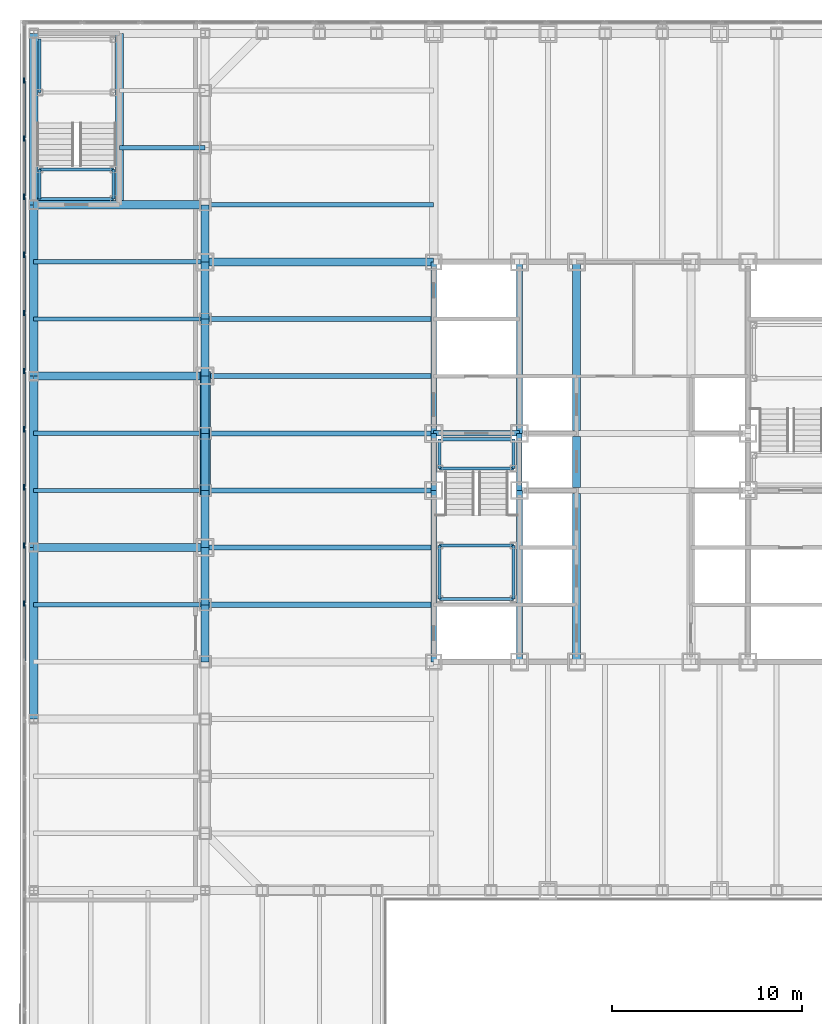
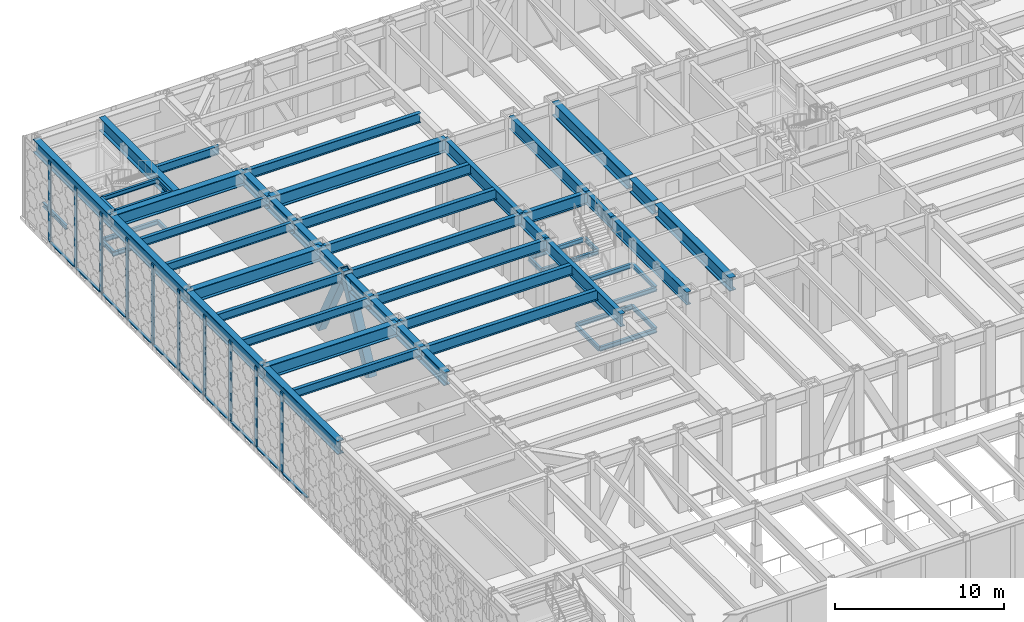
# One storey, part 6 of 32: 61 beams, 22 members, 1 element without a shape of its own.
"""IFC4 building model written with IfcOpenShell, lengths in metres."""

from ifc_helpers import new_model, si_unit, direction, frame, origin, origin_2d, place, context, subcontext, project, spatial, rectangle, hollow_rectangle, i_section, extrude, material, layer, layer_set, material_profile, profile_set, type_object, element, aggregate, save


model = new_model("IFC4")

# Units and contexts
model_context = context("Model", 3, precision=1e-05, world=origin(), true_north=direction((0.0, 1.0)))
body_context = subcontext(model_context, "Body", "Model", "MODEL_VIEW")
ifc_project = project(units=[si_unit("LENGTHUNIT", "METRE"), si_unit("AREAUNIT", "SQUARE_METRE"), si_unit("VOLUMEUNIT", "CUBIC_METRE"), si_unit("PLANEANGLEUNIT", "RADIAN"), si_unit("MASSUNIT", "GRAM", prefix="KILO")], contexts=[model_context])

# Site, building, storey
site_placement = place(None, origin())
site = spatial("IfcSite", under=ifc_project, at=site_placement, CompositionType="ELEMENT")
building_placement = place(site_placement, origin())
building = spatial("IfcBuilding", under=site, at=building_placement, Name="Chuquiago Exchange Tower", CompositionType="ELEMENT")
storey_placement = place(building_placement, frame((0.0, 0.0, 13.5)))
storey = spatial("IfcBuildingStorey", under=building, at=storey_placement, Name="L02", CompositionType="ELEMENT", Elevation=13.5)

# Beams
ifc_material_1 = material(Name="Steel ASTM A992", Category="steel")
ifc_material_profile_1 = material_profile(ifc_material_1, i_section(OverallWidth=0.307373046875, OverallDepth=0.927001953125, WebThickness=0.01953125, FlangeThickness=0.031982421875, at=origin_2d()), Name="W36X194")
ifc_profile_set_1 = profile_set([ifc_material_profile_1], Name="Steel ASTM A992")
beam_type_1 = type_object("IfcBeamType", Name="B10 W36X194", PredefinedType="BEAM", material=ifc_profile_set_1)
for number, where, z_axis, x_axis, name in (
    (1, (12.0, 12.0, 5.33642578125), (0.0, 1.0, 0.0), (-1.0, 0.0, 0.0), "CB-L03-12_12-12_21"),
    (2, (12.0, 24.0, 5.33642578125), (0.0, 1.0, 0.0), (-1.0, 0.0, 0.0), "CB-L03-12_24-12_33"),
    (3, (16.5, 12.0, 5.33642578125), (0.0, 1.0, 0.0), (-1.0, 0.0, 0.0), "CB-L03-16.5_12-16.5_21"),
    (4, (16.5, 24.0, 5.33642578125), (0.0, 1.0, 0.0), (-1.0, 0.0, 0.0), "CB-L03-16.5_24-16.5_33"),
):
    element("IfcBeam", number, at=place(storey_placement, frame(where, z_axis=z_axis, x_axis=x_axis)), inside=storey, type_object=beam_type_1, Name=name, PredefinedType="BEAM", context=body_context, shape_type="SweptSolid", body=[
        extrude(i_section(OverallWidth=0.307373046875, OverallDepth=0.927001953125, WebThickness=0.01953125, FlangeThickness=0.031982421875, at=origin_2d()), origin(), (0.0, 0.0, 1.0), 9.0),
    ])
ifc_material_2 = material(Name="Steel ASTM A992", Category="steel")
ifc_material_profile_2 = material_profile(ifc_material_2, i_section(OverallWidth=0.4267578125, OverallDepth=0.975341796875, WebThickness=0.031005859375, FlangeThickness=0.055908203125, at=origin_2d()), Name="W36X395")
ifc_profile_set_2 = profile_set([ifc_material_profile_2], Name="Steel ASTM A992")
beam_type_2 = type_object("IfcBeamType", Name="B12 W36X395", PredefinedType="BEAM", material=ifc_profile_set_2)
beam_1_placement = place(storey_placement, frame((19.5, 12.0, 5.312255859375), z_axis=(0.0, 1.0, 0.0), x_axis=(-1.0, 0.0, 0.0)))
element("IfcBeam", 5, at=beam_1_placement, inside=storey, type_object=beam_type_2, Name="CB-L03-19.5_12-19.5_20.8451", PredefinedType="BEAM", context=body_context, shape_type="SweptSolid", body=[
    extrude(i_section(OverallWidth=0.4267578125, OverallDepth=0.975341796875, WebThickness=0.031005859375, FlangeThickness=0.055908203125, at=origin_2d()), origin(), (0.0, 0.0, 1.0), 8.84521484375),
])
beam_2_placement = place(storey_placement, frame((19.5, 21.15478515625, 5.312255859375), z_axis=(0.0, 1.0, 0.0), x_axis=(-1.0, 0.0, 0.0)))
element("IfcBeam", 6, at=beam_2_placement, inside=storey, type_object=beam_type_2, Name="CB-L03-19.5_21.1549-19.5_23.8451", PredefinedType="BEAM", context=body_context, shape_type="SweptSolid", body=[
    extrude(i_section(OverallWidth=0.4267578125, OverallDepth=0.975341796875, WebThickness=0.031005859375, FlangeThickness=0.055908203125, at=origin_2d()), origin(), (0.0, 0.0, 1.0), 2.6904296875),
])
beam_3_placement = place(storey_placement, frame((19.5, 24.15478515625, 5.312255859375), z_axis=(0.0, 1.0, 0.0), x_axis=(-1.0, 0.0, 0.0)))
element("IfcBeam", 7, at=beam_3_placement, inside=storey, type_object=beam_type_2, Name="CB-L03-19.5_24.1549-19.5_33", PredefinedType="BEAM", context=body_context, shape_type="SweptSolid", body=[
    extrude(i_section(OverallWidth=0.4267578125, OverallDepth=0.975341796875, WebThickness=0.031005859375, FlangeThickness=0.055908203125, at=origin_2d()), origin(), (0.0, 0.0, 1.0), 8.84521484375),
])
ifc_material_3 = material(Name="Steel ASTM A992", Category="steel")
ifc_material_profile_3 = material_profile(ifc_material_3, i_section(OverallWidth=0.2919921875, OverallDepth=0.8583984375, WebThickness=0.01708984375, FlangeThickness=0.031005859375, at=origin_2d()), Name="W33X169")
ifc_profile_set_3 = profile_set([ifc_material_profile_3], Name="Steel ASTM A992")
beam_type_3 = type_object("IfcBeamType", Name="B3 W33X169", PredefinedType="BEAM", material=ifc_profile_set_3)
for number, where, z_axis, x_axis, name in (
    (8, (12.0, 21.0, 5.37060546875), (0.0, 1.0, 0.0), (-1.0, 0.0, 0.0), "CB-L03-12_21-12_24"),
    (9, (16.5, 21.0, 5.37060546875), (0.0, 1.0, 0.0), (-1.0, 0.0, 0.0), "CB-L03-16.5_21-16.5_24"),
):
    element("IfcBeam", number, at=place(storey_placement, frame(where, z_axis=z_axis, x_axis=x_axis)), inside=storey, type_object=beam_type_3, Name=name, PredefinedType="BEAM", context=body_context, shape_type="SweptSolid", body=[
        extrude(i_section(OverallWidth=0.2919921875, OverallDepth=0.8583984375, WebThickness=0.01708984375, FlangeThickness=0.031005859375, at=origin_2d()), origin(), (0.0, 0.0, 1.0), 3.0),
    ])
beam_4_placement = place(storey_placement, frame((12.0, 24.0, 5.37060546875), z_axis=(1.0, 0.0, 0.0), x_axis=(0.0, 1.0, 0.0)))
element("IfcBeam", 10, at=beam_4_placement, inside=storey, type_object=beam_type_3, Name="CB-L03-12_24-16.5_24", PredefinedType="BEAM", context=body_context, shape_type="SweptSolid", body=[
    extrude(i_section(OverallWidth=0.2919921875, OverallDepth=0.8583984375, WebThickness=0.01708984375, FlangeThickness=0.031005859375, at=origin_2d()), origin(), (0.0, 0.0, 1.0), 4.5),
])
ifc_material_4 = material(Name="Steel ASTM A992", Category="steel")
ifc_material_profile_4 = material_profile(ifc_material_4, i_section(OverallWidth=0.2666015625, OverallDepth=0.761962890625, WebThickness=0.014404296875, FlangeThickness=0.021484375, at=origin_2d()), Name="W30X116")
ifc_profile_set_4 = profile_set([ifc_material_profile_4], Name="Steel ASTM A992")
beam_type_4 = type_object("IfcBeamType", Name="B8 W30X116", PredefinedType="BEAM", material=ifc_profile_set_4)
for number, where, z_axis, x_axis, name in (
    (11, (12.0, 15.0, 5.4189453125), (-1.0, 0.0, 0.0), (0.0, -1.0, 0.0), "FB-L03-infill-12_15--0_15-0"),
    (12, (12.0, 18.0, 5.4189453125), (-1.0, 0.0, 0.0), (0.0, -1.0, 0.0), "FB-L03-infill-12_18--0_18-0"),
    (13, (12.0, 21.0, 5.4189453125), (-1.0, 0.0, 0.0), (0.0, -1.0, 0.0), "FB-L03-infill-12_21--0_21-0"),
    (14, (12.0, 24.0, 5.4189453125), (-1.0, 0.0, 0.0), (0.0, -1.0, 0.0), "FB-L03-infill-12_24--0_24-0"),
    (15, (12.0, 27.0, 5.4189453125), (-1.0, 0.0, 0.0), (0.0, -1.0, 0.0), "FB-L03-infill-12_27--0_27-0"),
    (16, (12.0, 30.0, 5.4189453125), (-1.0, 0.0, 0.0), (0.0, -1.0, 0.0), "FB-L03-infill-12_30--0_30-0"),
):
    element("IfcBeam", number, at=place(storey_placement, frame(where, z_axis=z_axis, x_axis=x_axis)), inside=storey, type_object=beam_type_4, Name=name, PredefinedType="BEAM", context=body_context, shape_type="SweptSolid", body=[
        extrude(i_section(OverallWidth=0.2666015625, OverallDepth=0.761962890625, WebThickness=0.014404296875, FlangeThickness=0.021484375, at=origin_2d()), origin(), (0.0, 0.0, 1.0), 12.0),
    ])
ifc_material_5 = material(Name="Steel ASTM A992", Category="steel")
ifc_material_profile_5 = material_profile(ifc_material_5, i_section(OverallWidth=0.256591796875, OverallDepth=0.693359375, WebThickness=0.014404296875, FlangeThickness=0.023681640625, at=origin_2d()), Name="W27X114")
ifc_profile_set_5 = profile_set([ifc_material_profile_5], Name="Steel ASTM A992")
beam_type_5 = type_object("IfcBeamType", Name="B9 W27X114", PredefinedType="BEAM", material=ifc_profile_set_5)
beam_5_placement = place(storey_placement, frame((12.0, 36.0, 5.453369140625), z_axis=(-1.0, 0.0, 0.0), x_axis=(0.0, -1.0, 0.0)))
element("IfcBeam", 17, at=beam_5_placement, inside=storey, type_object=beam_type_5, Name="FB-L03-corner-12_36--0_36-0", PredefinedType="BEAM", context=body_context, shape_type="SweptSolid", body=[
    extrude(i_section(OverallWidth=0.256591796875, OverallDepth=0.693359375, WebThickness=0.014404296875, FlangeThickness=0.023681640625, at=origin_2d()), origin(), (0.0, 0.0, 1.0), 12.0),
])

# Curtain wall, members
ifc_material_6 = material(Name="Aluminium curtain wall system", Category="aluminium")
ifc_layer = layer(ifc_material_6, 0.300048828125)
ifc_layer_set = layer_set([ifc_layer], Name="CW4 podium curtain wall")
curtain_wall_type = type_object("IfcCurtainWallType", Name="CW4 podium curtain wall", PredefinedType="NOTDEFINED", material=ifc_layer_set)
curtain_wall_placement = place(storey_placement, origin())
curtain_wall = element("IfcCurtainWall", 18, at=curtain_wall_placement, inside=storey, type_object=curtain_wall_type, Name="CW4 curtain wall L02", PredefinedType="NOTDEFINED")
ifc_material_7 = material(Name="Aluminium mullion, pale anodised", Category="aluminium")
ifc_material_profile_6 = material_profile(ifc_material_7, rectangle(XDim=0.074951171875, YDim=0.300048828125, at=origin_2d()), Name="AL 75x300")
ifc_profile_set_6 = profile_set([ifc_material_profile_6], Name="Aluminium mullion, pale anodised")
member_type_1 = type_object("IfcMemberType", Name="CW4-M mullion 75x300", PredefinedType="MULLION", material=ifc_profile_set_6)
member_1_placement = place(storey_placement, frame((-9.5, 42.52392578125, 0.0), z_axis=(0.0, 0.0, 1.0), x_axis=(1.0, 0.0, 0.0)))
member_1 = element("IfcMember", 19, at=member_1_placement, type_object=member_type_1, Name="CW4 mullion 2", PredefinedType="MULLION", context=body_context, shape_type="SweptSolid", body=[
    extrude(rectangle(XDim=0.074951171875, YDim=0.300048828125, at=origin_2d()), origin(), (0.0, 0.0, 1.0), 5.800048828125),
])
member_2_placement = place(storey_placement, frame((-9.5, 39.47265625, 0.0), z_axis=(0.0, 0.0, 1.0), x_axis=(1.0, 0.0, 0.0)))
member_2 = element("IfcMember", 20, at=member_2_placement, type_object=member_type_1, Name="CW4 mullion 3", PredefinedType="MULLION", context=body_context, shape_type="SweptSolid", body=[
    extrude(rectangle(XDim=0.074951171875, YDim=0.300048828125, at=origin_2d()), origin(), (0.0, 0.0, 1.0), 5.800048828125),
])
member_3_placement = place(storey_placement, frame((-9.5, 36.42138671875, 0.0), z_axis=(0.0, 0.0, 1.0), x_axis=(1.0, 0.0, 0.0)))
member_3 = element("IfcMember", 21, at=member_3_placement, type_object=member_type_1, Name="CW4 mullion 4", PredefinedType="MULLION", context=body_context, shape_type="SweptSolid", body=[
    extrude(rectangle(XDim=0.074951171875, YDim=0.300048828125, at=origin_2d()), origin(), (0.0, 0.0, 1.0), 5.800048828125),
])
member_4_placement = place(storey_placement, frame((-9.5, 33.3701171875, 0.0), z_axis=(0.0, 0.0, 1.0), x_axis=(1.0, 0.0, 0.0)))
member_4 = element("IfcMember", 22, at=member_4_placement, type_object=member_type_1, Name="CW4 mullion 5", PredefinedType="MULLION", context=body_context, shape_type="SweptSolid", body=[
    extrude(rectangle(XDim=0.074951171875, YDim=0.300048828125, at=origin_2d()), origin(), (0.0, 0.0, 1.0), 5.800048828125),
])
member_5_placement = place(storey_placement, frame((-9.5, 30.319091796875, 0.0), z_axis=(0.0, 0.0, 1.0), x_axis=(1.0, 0.0, 0.0)))
member_5 = element("IfcMember", 23, at=member_5_placement, type_object=member_type_1, Name="CW4 mullion 6", PredefinedType="MULLION", context=body_context, shape_type="SweptSolid", body=[
    extrude(rectangle(XDim=0.074951171875, YDim=0.300048828125, at=origin_2d()), origin(), (0.0, 0.0, 1.0), 5.800048828125),
])
member_6_placement = place(storey_placement, frame((-9.5, 27.267822265625, 0.0), z_axis=(0.0, 0.0, 1.0), x_axis=(1.0, 0.0, 0.0)))
member_6 = element("IfcMember", 24, at=member_6_placement, type_object=member_type_1, Name="CW4 mullion 7", PredefinedType="MULLION", context=body_context, shape_type="SweptSolid", body=[
    extrude(rectangle(XDim=0.074951171875, YDim=0.300048828125, at=origin_2d()), origin(), (0.0, 0.0, 1.0), 5.800048828125),
])
member_7_placement = place(storey_placement, frame((-9.5, 24.216552734375, 0.0), z_axis=(0.0, 0.0, 1.0), x_axis=(1.0, 0.0, 0.0)))
member_7 = element("IfcMember", 25, at=member_7_placement, type_object=member_type_1, Name="CW4 mullion 8", PredefinedType="MULLION", context=body_context, shape_type="SweptSolid", body=[
    extrude(rectangle(XDim=0.074951171875, YDim=0.300048828125, at=origin_2d()), origin(), (0.0, 0.0, 1.0), 5.800048828125),
])
member_8_placement = place(storey_placement, frame((-9.5, 21.16552734375, 0.0), z_axis=(0.0, 0.0, 1.0), x_axis=(1.0, 0.0, 0.0)))
member_8 = element("IfcMember", 26, at=member_8_placement, type_object=member_type_1, Name="CW4 mullion 9", PredefinedType="MULLION", context=body_context, shape_type="SweptSolid", body=[
    extrude(rectangle(XDim=0.074951171875, YDim=0.300048828125, at=origin_2d()), origin(), (0.0, 0.0, 1.0), 5.800048828125),
])
member_9_placement = place(storey_placement, frame((-9.5, 18.1142578125, 0.0), z_axis=(0.0, 0.0, 1.0), x_axis=(1.0, 0.0, 0.0)))
member_9 = element("IfcMember", 27, at=member_9_placement, type_object=member_type_1, Name="CW4 mullion 10", PredefinedType="MULLION", context=body_context, shape_type="SweptSolid", body=[
    extrude(rectangle(XDim=0.074951171875, YDim=0.300048828125, at=origin_2d()), origin(), (0.0, 0.0, 1.0), 5.800048828125),
])
member_10_placement = place(storey_placement, frame((-9.5, 15.06298828125, 0.0), z_axis=(0.0, 0.0, 1.0), x_axis=(1.0, 0.0, 0.0)))
member_10 = element("IfcMember", 28, at=member_10_placement, type_object=member_type_1, Name="CW4 mullion 11", PredefinedType="MULLION", context=body_context, shape_type="SweptSolid", body=[
    extrude(rectangle(XDim=0.074951171875, YDim=0.300048828125, at=origin_2d()), origin(), (0.0, 0.0, 1.0), 5.800048828125),
])
ifc_material_8 = material(Name="Aluminium transom, pale anodised", Category="aluminium")
ifc_material_profile_7 = material_profile(ifc_material_8, rectangle(XDim=0.179931640625, YDim=0.074951171875, at=origin_2d()), Name="AL 180x75")
ifc_profile_set_7 = profile_set([ifc_material_profile_7], Name="Aluminium transom, pale anodised")
member_type_2 = type_object("IfcMemberType", Name="CW4-T transom 75x180", PredefinedType="MULLION", material=ifc_profile_set_7)
member_11_placement = place(storey_placement, frame((-9.5, 42.486328125, 0.03759765625), z_axis=(0.0, -1.0, 0.0), x_axis=(1.0, 0.0, 0.0)))
member_11 = element("IfcMember", 29, at=member_11_placement, type_object=member_type_2, Name="CW4 transom 2.1", PredefinedType="MULLION", context=body_context, shape_type="SweptSolid", body=[
    extrude(rectangle(XDim=0.179931640625, YDim=0.074951171875, at=origin_2d()), origin(), (0.0, 0.0, 1.0), 2.976318359375),
])
member_12_placement = place(storey_placement, frame((-9.5, 39.43505859375, 0.03759765625), z_axis=(0.0, -1.0, 0.0), x_axis=(1.0, 0.0, 0.0)))
member_12 = element("IfcMember", 30, at=member_12_placement, type_object=member_type_2, Name="CW4 transom 3.1", PredefinedType="MULLION", context=body_context, shape_type="SweptSolid", body=[
    extrude(rectangle(XDim=0.179931640625, YDim=0.074951171875, at=origin_2d()), origin(), (0.0, 0.0, 1.0), 2.97607421875),
])
member_13_placement = place(storey_placement, frame((-9.5, 36.384033203125, 0.03759765625), z_axis=(0.0, -1.0, 0.0), x_axis=(1.0, 0.0, 0.0)))
member_13 = element("IfcMember", 31, at=member_13_placement, type_object=member_type_2, Name="CW4 transom 4.1", PredefinedType="MULLION", context=body_context, shape_type="SweptSolid", body=[
    extrude(rectangle(XDim=0.179931640625, YDim=0.074951171875, at=origin_2d()), origin(), (0.0, 0.0, 1.0), 2.976318359375),
])
member_14_placement = place(storey_placement, frame((-9.5, 33.332763671875, 0.03759765625), z_axis=(0.0, -1.0, 0.0), x_axis=(1.0, 0.0, 0.0)))
member_14 = element("IfcMember", 32, at=member_14_placement, type_object=member_type_2, Name="CW4 transom 5.1", PredefinedType="MULLION", context=body_context, shape_type="SweptSolid", body=[
    extrude(rectangle(XDim=0.179931640625, YDim=0.074951171875, at=origin_2d()), origin(), (0.0, 0.0, 1.0), 2.976318359375),
])
member_15_placement = place(storey_placement, frame((-9.5, 30.281494140625, 0.03759765625), z_axis=(0.0, -1.0, 0.0), x_axis=(1.0, 0.0, 0.0)))
member_15 = element("IfcMember", 33, at=member_15_placement, type_object=member_type_2, Name="CW4 transom 6.1", PredefinedType="MULLION", context=body_context, shape_type="SweptSolid", body=[
    extrude(rectangle(XDim=0.179931640625, YDim=0.074951171875, at=origin_2d()), origin(), (0.0, 0.0, 1.0), 2.97607421875),
])
member_16_placement = place(storey_placement, frame((-9.5, 27.23046875, 0.03759765625), z_axis=(0.0, -1.0, 0.0), x_axis=(1.0, 0.0, 0.0)))
member_16 = element("IfcMember", 34, at=member_16_placement, type_object=member_type_2, Name="CW4 transom 7.1", PredefinedType="MULLION", context=body_context, shape_type="SweptSolid", body=[
    extrude(rectangle(XDim=0.179931640625, YDim=0.074951171875, at=origin_2d()), origin(), (0.0, 0.0, 1.0), 2.976318359375),
])
member_17_placement = place(storey_placement, frame((-9.5, 24.17919921875, 0.03759765625), z_axis=(0.0, -1.0, 0.0), x_axis=(1.0, 0.0, 0.0)))
member_17 = element("IfcMember", 35, at=member_17_placement, type_object=member_type_2, Name="CW4 transom 8.1", PredefinedType="MULLION", context=body_context, shape_type="SweptSolid", body=[
    extrude(rectangle(XDim=0.179931640625, YDim=0.074951171875, at=origin_2d()), origin(), (0.0, 0.0, 1.0), 2.976318359375),
])
member_18_placement = place(storey_placement, frame((-9.5, 21.1279296875, 0.03759765625), z_axis=(0.0, -1.0, 0.0), x_axis=(1.0, 0.0, 0.0)))
member_18 = element("IfcMember", 36, at=member_18_placement, type_object=member_type_2, Name="CW4 transom 9.1", PredefinedType="MULLION", context=body_context, shape_type="SweptSolid", body=[
    extrude(rectangle(XDim=0.179931640625, YDim=0.074951171875, at=origin_2d()), origin(), (0.0, 0.0, 1.0), 2.97607421875),
])
member_19_placement = place(storey_placement, frame((-9.5, 18.076904296875, 0.03759765625), z_axis=(0.0, -1.0, 0.0), x_axis=(1.0, 0.0, 0.0)))
member_19 = element("IfcMember", 37, at=member_19_placement, type_object=member_type_2, Name="CW4 transom 10.1", PredefinedType="MULLION", context=body_context, shape_type="SweptSolid", body=[
    extrude(rectangle(XDim=0.179931640625, YDim=0.074951171875, at=origin_2d()), origin(), (0.0, 0.0, 1.0), 2.976318359375),
])
member_20_placement = place(storey_placement, frame((-9.5, 15.025634765625, 0.03759765625), z_axis=(0.0, -1.0, 0.0), x_axis=(1.0, 0.0, 0.0)))
member_20 = element("IfcMember", 38, at=member_20_placement, type_object=member_type_2, Name="CW4 transom 11.1", PredefinedType="MULLION", context=body_context, shape_type="SweptSolid", body=[
    extrude(rectangle(XDim=0.179931640625, YDim=0.074951171875, at=origin_2d()), origin(), (0.0, 0.0, 1.0), 2.976318359375),
])
aggregate(curtain_wall, [member_1, member_2, member_3, member_4, member_5, member_6, member_7, member_8, member_9, member_10, member_11, member_12, member_13, member_14, member_15, member_16, member_17, member_18, member_19, member_20])

# Beams
ifc_material_9 = material(Name="Steel ASTM A992", Category="steel")
ifc_material_profile_8 = material_profile(ifc_material_9, i_section(OverallWidth=0.424072265625, OverallDepth=0.947509765625, WebThickness=0.02392578125, FlangeThickness=0.042724609375, at=origin_2d()), Name="W36X302")
ifc_profile_set_8 = profile_set([ifc_material_profile_8], Name="Steel ASTM A992")
beam_type_6 = type_object("IfcBeamType", Name="G4 W36X302", PredefinedType="BEAM", material=ifc_profile_set_8)
beam_6_placement = place(storey_placement, frame((12.0, 33.0, 5.326416015625), z_axis=(-1.0, 0.0, 0.0), x_axis=(0.0, -1.0, 0.0)))
element("IfcBeam", 39, at=beam_6_placement, inside=storey, type_object=beam_type_6, Name="FB-L03-girder-12_33--0_33-0", PredefinedType="BEAM", context=body_context, shape_type="SweptSolid", body=[
    extrude(i_section(OverallWidth=0.424072265625, OverallDepth=0.947509765625, WebThickness=0.02392578125, FlangeThickness=0.042724609375, at=origin_2d()), origin(), (0.0, 0.0, 1.0), 12.0),
])
ifc_material_10 = material(Name="Steel ASTM A992", Category="steel")
ifc_material_profile_9 = material_profile(ifc_material_10, i_section(OverallWidth=0.164794921875, OverallDepth=0.309814453125, WebThickness=0.005859375, FlangeThickness=0.009765625, at=origin_2d()), Name="W12X26")
ifc_profile_set_9 = profile_set([ifc_material_profile_9], Name="Steel ASTM A992")
beam_type_7 = type_object("IfcBeamType", Name="LS1 W12X26", PredefinedType="BEAM", material=ifc_profile_set_9)
for number, where, z_axis, x_axis, name in (
    (40, (12.31005859375, 15.31005859375, 1.14501953125), (0.0, 1.0, 0.0), (-1.0, 0.0, 0.0), "Stair ST1 L02 landing 1 stringer"),
    (41, (16.18994140625, 15.31005859375, 1.14501953125), (0.0, 1.0, 0.0), (-1.0, 0.0, 0.0), "Stair ST1 L02 landing 1 stringer"),
):
    element("IfcBeam", number, at=place(storey_placement, frame(where, z_axis=z_axis, x_axis=x_axis)), inside=storey, type_object=beam_type_7, Name=name, PredefinedType="BEAM", context=body_context, shape_type="SweptSolid", body=[
        extrude(i_section(OverallWidth=0.164794921875, OverallDepth=0.309814453125, WebThickness=0.005859375, FlangeThickness=0.009765625, at=origin_2d()), origin(), (0.0, 0.0, 1.0), 2.800048828125),
    ])
for number, where, z_axis, x_axis, name in (
    (42, (12.31005859375, 22.14990234375, 2.64501953125), (0.0, 1.0, 0.0), (-1.0, 0.0, 0.0), "Stair ST1 L02 landing 2 stringer"),
    (43, (16.18994140625, 22.14990234375, 2.64501953125), (0.0, 1.0, 0.0), (-1.0, 0.0, 0.0), "Stair ST1 L02 landing 2 stringer"),
):
    element("IfcBeam", number, at=place(storey_placement, frame(where, z_axis=z_axis, x_axis=x_axis)), inside=storey, type_object=beam_type_7, Name=name, PredefinedType="BEAM", context=body_context, shape_type="SweptSolid", body=[
        extrude(i_section(OverallWidth=0.164794921875, OverallDepth=0.309814453125, WebThickness=0.005859375, FlangeThickness=0.009765625, at=origin_2d()), origin(), (0.0, 0.0, 1.0), 1.5400390625),
    ])
for number, where, z_axis, x_axis, name in (
    (44, (12.31005859375, 15.31005859375, 4.14501953125), (0.0, 1.0, 0.0), (-1.0, 0.0, 0.0), "Stair ST1 L02 landing 3 stringer"),
    (45, (16.18994140625, 15.31005859375, 4.14501953125), (0.0, 1.0, 0.0), (-1.0, 0.0, 0.0), "Stair ST1 L02 landing 3 stringer"),
    (46, (-8.68994140625, 41.889892578125, 1.14501953125), (0.0, 1.0, 0.0), (-1.0, 0.0, 0.0), "Stair PS3 L02 landing 1 stringer"),
):
    element("IfcBeam", number, at=place(storey_placement, frame(where, z_axis=z_axis, x_axis=x_axis)), inside=storey, type_object=beam_type_7, Name=name, PredefinedType="BEAM", context=body_context, shape_type="SweptSolid", body=[
        extrude(i_section(OverallWidth=0.164794921875, OverallDepth=0.309814453125, WebThickness=0.005859375, FlangeThickness=0.009765625, at=origin_2d()), origin(), (0.0, 0.0, 1.0), 2.800048828125),
    ])
for number, where, z_axis, x_axis, name in (
    (47, (-8.68994140625, 36.31005859375, 2.64501953125), (0.0, 1.0, 0.0), (-1.0, 0.0, 0.0), "Stair PS3 L02 landing 2 stringer"),
    (48, (-4.81005859375, 36.31005859375, 2.64501953125), (0.0, 1.0, 0.0), (-1.0, 0.0, 0.0), "Stair PS3 L02 landing 2 stringer"),
    (49, (-8.68994140625, 36.31005859375, 5.64501953125), (0.0, 1.0, 0.0), (-1.0, 0.0, 0.0), "Stair PS3 top landing stringer"),
    (50, (-4.81005859375, 36.31005859375, 5.64501953125), (0.0, 1.0, 0.0), (-1.0, 0.0, 0.0), "Stair PS3 top landing stringer"),
):
    element("IfcBeam", number, at=place(storey_placement, frame(where, z_axis=z_axis, x_axis=x_axis)), inside=storey, type_object=beam_type_7, Name=name, PredefinedType="BEAM", context=body_context, shape_type="SweptSolid", body=[
        extrude(i_section(OverallWidth=0.164794921875, OverallDepth=0.309814453125, WebThickness=0.005859375, FlangeThickness=0.009765625, at=origin_2d()), origin(), (0.0, 0.0, 1.0), 1.5400390625),
    ])
ifc_material_11 = material(Name="Steel ASTM A992", Category="steel")
ifc_material_profile_10 = material_profile(ifc_material_11, i_section(OverallWidth=0.164794921875, OverallDepth=0.309814453125, WebThickness=0.005859375, FlangeThickness=0.009765625, at=origin_2d()), Name="W12X26")
ifc_profile_set_10 = profile_set([ifc_material_profile_10], Name="Steel ASTM A992")
beam_type_8 = type_object("IfcBeamType", Name="LT1 W12X26", PredefinedType="BEAM", material=ifc_profile_set_10)
for number, where, z_axis, x_axis, name in (
    (51, (12.31005859375, 15.31005859375, 1.14501953125), (1.0, 0.0, 0.0), (0.0, 1.0, 0.0), "Stair ST1 L02 landing 1 trimmer"),
    (52, (12.31005859375, 18.110107421875, 1.14501953125), (1.0, 0.0, 0.0), (0.0, 1.0, 0.0), "Stair ST1 L02 landing 1 trimmer"),
    (53, (12.31005859375, 22.14990234375, 2.64501953125), (1.0, 0.0, 0.0), (0.0, 1.0, 0.0), "Stair ST1 L02 landing 2 trimmer"),
):
    element("IfcBeam", number, at=place(storey_placement, frame(where, z_axis=z_axis, x_axis=x_axis)), inside=storey, type_object=beam_type_8, Name=name, PredefinedType="BEAM", context=body_context, shape_type="SweptSolid", body=[
        extrude(i_section(OverallWidth=0.164794921875, OverallDepth=0.309814453125, WebThickness=0.005859375, FlangeThickness=0.009765625, at=origin_2d()), origin(), (0.0, 0.0, 1.0), 3.8798828125),
    ])
beam_7_placement = place(storey_placement, frame((12.455078125, 23.68994140625, 2.64501953125), z_axis=(1.0, 0.0, 0.0), x_axis=(0.0, 1.0, 0.0)))
element("IfcBeam", 54, at=beam_7_placement, inside=storey, type_object=beam_type_8, Name="Stair ST1 L02 landing 2 trimmer", PredefinedType="BEAM", context=body_context, shape_type="SweptSolid", body=[
    extrude(i_section(OverallWidth=0.164794921875, OverallDepth=0.309814453125, WebThickness=0.005859375, FlangeThickness=0.009765625, at=origin_2d()), origin(), (0.0, 0.0, 1.0), 3.58984375),
])
for number, where, z_axis, x_axis, name in (
    (55, (12.31005859375, 15.31005859375, 4.14501953125), (1.0, 0.0, 0.0), (0.0, 1.0, 0.0), "Stair ST1 L02 landing 3 trimmer"),
    (56, (12.31005859375, 18.110107421875, 4.14501953125), (1.0, 0.0, 0.0), (0.0, 1.0, 0.0), "Stair ST1 L02 landing 3 trimmer"),
    (57, (-8.68994140625, 37.85009765625, 2.64501953125), (1.0, 0.0, 0.0), (0.0, 1.0, 0.0), "Stair PS3 L02 landing 2 trimmer"),
):
    element("IfcBeam", number, at=place(storey_placement, frame(where, z_axis=z_axis, x_axis=x_axis)), inside=storey, type_object=beam_type_8, Name=name, PredefinedType="BEAM", context=body_context, shape_type="SweptSolid", body=[
        extrude(i_section(OverallWidth=0.164794921875, OverallDepth=0.309814453125, WebThickness=0.005859375, FlangeThickness=0.009765625, at=origin_2d()), origin(), (0.0, 0.0, 1.0), 3.8798828125),
    ])
beam_8_placement = place(storey_placement, frame((-8.814208984375, 36.31005859375, 2.64501953125), z_axis=(1.0, 0.0, 0.0), x_axis=(0.0, 1.0, 0.0)))
element("IfcBeam", 58, at=beam_8_placement, inside=storey, type_object=beam_type_8, Name="Stair PS3 L02 landing 2 trimmer", PredefinedType="BEAM", context=body_context, shape_type="SweptSolid", body=[
    extrude(i_section(OverallWidth=0.164794921875, OverallDepth=0.309814453125, WebThickness=0.005859375, FlangeThickness=0.009765625, at=origin_2d()), origin(), (0.0, 0.0, 1.0), 4.004150390625),
])
beam_9_placement = place(storey_placement, frame((-8.68994140625, 37.85009765625, 5.64501953125), z_axis=(1.0, 0.0, 0.0), x_axis=(0.0, 1.0, 0.0)))
element("IfcBeam", 59, at=beam_9_placement, inside=storey, type_object=beam_type_8, Name="Stair PS3 top landing trimmer", PredefinedType="BEAM", context=body_context, shape_type="SweptSolid", body=[
    extrude(i_section(OverallWidth=0.164794921875, OverallDepth=0.309814453125, WebThickness=0.005859375, FlangeThickness=0.009765625, at=origin_2d()), origin(), (0.0, 0.0, 1.0), 3.8798828125),
])
beam_10_placement = place(storey_placement, frame((-8.814208984375, 36.31005859375, 5.64501953125), z_axis=(1.0, 0.0, 0.0), x_axis=(0.0, 1.0, 0.0)))
element("IfcBeam", 60, at=beam_10_placement, inside=storey, type_object=beam_type_8, Name="Stair PS3 top landing trimmer", PredefinedType="BEAM", context=body_context, shape_type="SweptSolid", body=[
    extrude(i_section(OverallWidth=0.164794921875, OverallDepth=0.309814453125, WebThickness=0.005859375, FlangeThickness=0.009765625, at=origin_2d()), origin(), (0.0, 0.0, 1.0), 4.004150390625),
])

# Members
ifc_material_12 = material(Name="Steel ASTM A572 Grade 50", Category="steel")
ifc_material_profile_11 = material_profile(ifc_material_12, hollow_rectangle(XDim=0.550048828125, YDim=0.550048828125, WallThickness=0.044921875, at=origin_2d()), Name="BOX550X550X45")
ifc_profile_set_11 = profile_set([ifc_material_profile_11], Name="Steel ASTM A572 Grade 50")
member_type_3 = type_object("IfcMemberType", Name="MB1 BOX550X550X45", PredefinedType="BRACE", material=ifc_profile_set_11)
for number, where, z_axis, x_axis, name in (
    (61, (0.0, 27.0, 0.0), (0.0, -0.456929540486, 0.889502892087), (1.0, 0.0, 0.0), "Mega diagonal L02 W face"),
    (62, (0.0, 21.0, 0.0), (0.0, 0.456929540486, 0.889502892087), (-1.0, 0.0, 0.0), "Mega diagonal L02 W face"),
):
    element("IfcMember", number, at=place(storey_placement, frame(where, z_axis=z_axis, x_axis=x_axis)), inside=storey, type_object=member_type_3, Name=name, PredefinedType="BRACE", context=body_context, shape_type="SweptSolid", body=[
        extrude(hollow_rectangle(XDim=0.550048828125, YDim=0.550048828125, WallThickness=0.044921875, at=origin_2d()), origin(), (0.0, 0.0, 1.0), 6.565673828125),
    ])

# Beams
ifc_material_13 = material(Name="Steel ASTM A992", Category="steel")
ifc_material_profile_12 = material_profile(ifc_material_13, i_section(OverallWidth=0.227783203125, OverallDepth=0.60205078125, WebThickness=0.010498046875, FlangeThickness=0.014892578125, at=origin_2d()), Name="W24X68")
ifc_profile_set_12 = profile_set([ifc_material_profile_12], Name="Steel ASTM A992")
beam_type_9 = type_object("IfcBeamType", Name="PB1 W24X68", PredefinedType="BEAM", material=ifc_profile_set_12)
for number, where, z_axis, x_axis, name in (
    (63, (-9.0, 15.0, 5.4990234375), (1.0, 0.0, 0.0), (0.0, 1.0, 0.0), "PB-L03--9_15"),
    (64, (-9.0, 21.0, 5.4990234375), (1.0, 0.0, 0.0), (0.0, 1.0, 0.0), "PB-L03--9_21"),
    (65, (-9.0, 24.0, 5.4990234375), (1.0, 0.0, 0.0), (0.0, 1.0, 0.0), "PB-L03--9_24"),
    (66, (-9.0, 30.0, 5.4990234375), (1.0, 0.0, 0.0), (0.0, 1.0, 0.0), "PB-L03--9_30"),
    (67, (-9.0, 33.0, 5.4990234375), (1.0, 0.0, 0.0), (0.0, 1.0, 0.0), "PB-L03--9_33"),
):
    element("IfcBeam", number, at=place(storey_placement, frame(where, z_axis=z_axis, x_axis=x_axis)), inside=storey, type_object=beam_type_9, Name=name, PredefinedType="BEAM", context=body_context, shape_type="SweptSolid", body=[
        extrude(i_section(OverallWidth=0.227783203125, OverallDepth=0.60205078125, WebThickness=0.010498046875, FlangeThickness=0.014892578125, at=origin_2d()), origin(), (0.0, 0.0, 1.0), 9.0),
    ])
beam_11_placement = place(storey_placement, frame((-4.5, 39.0, 5.4990234375), z_axis=(1.0, 0.0, 0.0), x_axis=(0.0, 1.0, 0.0)))
element("IfcBeam", 68, at=beam_11_placement, inside=storey, type_object=beam_type_9, Name="PB-L03--4.5_39", PredefinedType="BEAM", context=body_context, shape_type="SweptSolid", body=[
    extrude(i_section(OverallWidth=0.227783203125, OverallDepth=0.60205078125, WebThickness=0.010498046875, FlangeThickness=0.014892578125, at=origin_2d()), origin(), (0.0, 0.0, 1.0), 4.5),
])
ifc_material_14 = material(Name="Steel ASTM A992", Category="steel")
ifc_material_profile_13 = material_profile(ifc_material_14, i_section(OverallWidth=0.424072265625, OverallDepth=0.947509765625, WebThickness=0.02392578125, FlangeThickness=0.042724609375, at=origin_2d()), Name="W36X302")
ifc_profile_set_13 = profile_set([ifc_material_profile_13], Name="Steel ASTM A992")
beam_type_10 = type_object("IfcBeamType", Name="PG1 W36X302", PredefinedType="BEAM", material=ifc_profile_set_13)
for number, where, z_axis, x_axis, name in (
    (69, (-9.0, 9.0, 5.326416015625), (0.0, 1.0, 0.0), (-1.0, 0.0, 0.0), "PG-L03--9_9--9_18"),
    (70, (-9.0, 18.0, 5.326416015625), (0.0, 1.0, 0.0), (-1.0, 0.0, 0.0), "PG-L03--9_18--9_27"),
    (71, (-9.0, 27.0, 5.326416015625), (0.0, 1.0, 0.0), (-1.0, 0.0, 0.0), "PG-L03--9_27--9_36"),
    (72, (-9.0, 36.0, 5.326416015625), (0.0, 1.0, 0.0), (-1.0, 0.0, 0.0), "PG-L03--9_36--9_45"),
    (73, (-9.0, 18.0, 5.326416015625), (1.0, 0.0, 0.0), (0.0, 1.0, 0.0), "PG-L03--9_18-0_18"),
    (74, (-9.0, 27.0, 5.326416015625), (1.0, 0.0, 0.0), (0.0, 1.0, 0.0), "PG-L03--9_27-0_27"),
    (75, (-9.0, 36.0, 5.326416015625), (1.0, 0.0, 0.0), (0.0, 1.0, 0.0), "PG-L03--9_36-0_36"),
    (76, (-4.5, 36.0, 5.326416015625), (0.0, 1.0, 0.0), (-1.0, 0.0, 0.0), "PT-L03-PS3"),
):
    element("IfcBeam", number, at=place(storey_placement, frame(where, z_axis=z_axis, x_axis=x_axis)), inside=storey, type_object=beam_type_10, Name=name, PredefinedType="BEAM", context=body_context, shape_type="SweptSolid", body=[
        extrude(i_section(OverallWidth=0.424072265625, OverallDepth=0.947509765625, WebThickness=0.02392578125, FlangeThickness=0.042724609375, at=origin_2d()), origin(), (0.0, 0.0, 1.0), 9.0),
    ])
ifc_material_15 = material(Name="Steel ASTM A992", Category="steel")
ifc_material_profile_14 = material_profile(ifc_material_15, i_section(OverallWidth=0.4267578125, OverallDepth=0.95751953125, WebThickness=0.028564453125, FlangeThickness=0.050048828125, at=origin_2d()), Name="W36X361")
ifc_profile_set_14 = profile_set([ifc_material_profile_14], Name="Steel ASTM A992")
beam_type_11 = type_object("IfcBeamType", Name="SP1 W36X361", PredefinedType="SPANDREL", material=ifc_profile_set_14)
for number, where, z_axis, x_axis, name in (
    (77, (0.0, 36.0, 5.3212890625), (0.0, -1.0, 0.0), (1.0, 0.0, 0.0), "SPB-L03-0_36-0_33"),
    (78, (0.0, 33.0, 5.3212890625), (0.0, -1.0, 0.0), (1.0, 0.0, 0.0), "SPB-L03-0_33-0_30"),
    (79, (0.0, 30.0, 5.3212890625), (0.0, -1.0, 0.0), (1.0, 0.0, 0.0), "SPB-L03-0_30-0_27"),
    (80, (0.0, 27.0, 5.3212890625), (0.0, -1.0, 0.0), (1.0, 0.0, 0.0), "SPB-L03-0_27-0_24"),
    (81, (0.0, 24.0, 5.3212890625), (0.0, -1.0, 0.0), (1.0, 0.0, 0.0), "SPB-L03-0_24-0_21"),
    (82, (0.0, 21.0, 5.3212890625), (0.0, -1.0, 0.0), (1.0, 0.0, 0.0), "SPB-L03-0_21-0_18"),
    (83, (0.0, 18.0, 5.3212890625), (0.0, -1.0, 0.0), (1.0, 0.0, 0.0), "SPB-L03-0_18-0_15"),
    (84, (0.0, 15.0, 5.3212890625), (0.0, -1.0, 0.0), (1.0, 0.0, 0.0), "SPB-L03-0_15-0_12"),
):
    element("IfcBeam", number, at=place(storey_placement, frame(where, z_axis=z_axis, x_axis=x_axis)), inside=storey, type_object=beam_type_11, Name=name, PredefinedType="SPANDREL", context=body_context, shape_type="SweptSolid", body=[
        extrude(i_section(OverallWidth=0.4267578125, OverallDepth=0.95751953125, WebThickness=0.028564453125, FlangeThickness=0.050048828125, at=origin_2d()), origin(), (0.0, 0.0, 1.0), 3.0),
    ])

save(model, "model.ifc")
